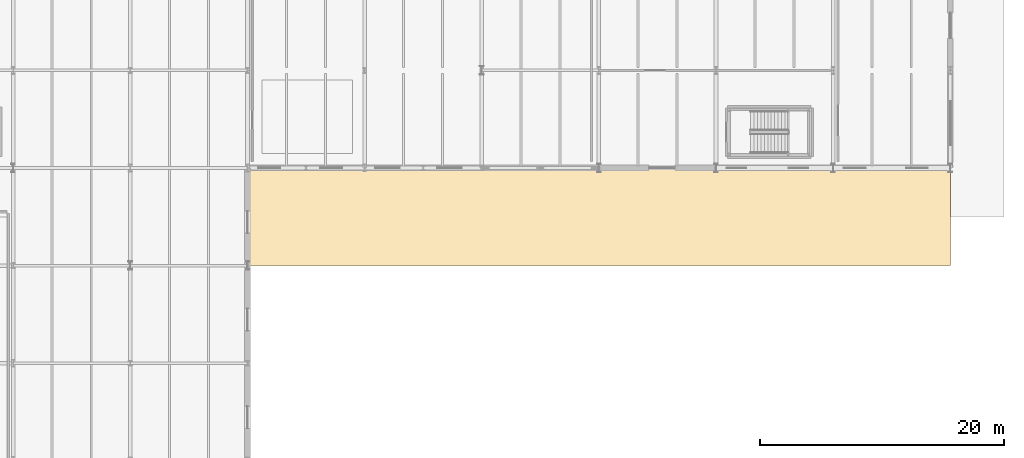
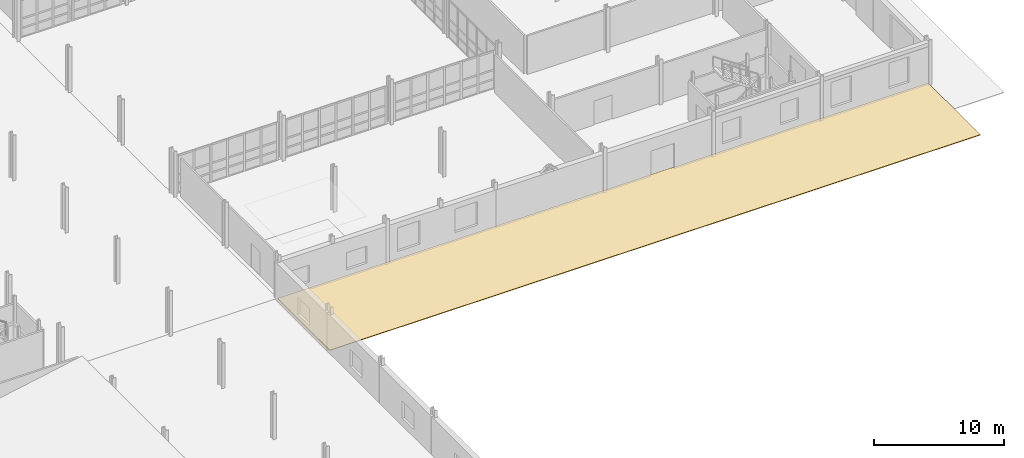
# One storey, part 76 of 78: 1 covering.
"""IFC4 building model written with IfcOpenShell, lengths in metres."""

from ifc_helpers import new_model, si_unit, direction, frame, origin, place, context, subcontext, project, spatial, polyline, outline, extrude, material, layer, layer_set, type_object, element, save


model = new_model("IFC4")

# Units and contexts
model_context = context("Model", 3, precision=1e-05, world=origin(), true_north=direction((0.0, 1.0)))
body_context = subcontext(model_context, "Body", "Model", "MODEL_VIEW")
ifc_project = project(units=[si_unit("LENGTHUNIT", "METRE"), si_unit("AREAUNIT", "SQUARE_METRE"), si_unit("VOLUMEUNIT", "CUBIC_METRE"), si_unit("PLANEANGLEUNIT", "RADIAN"), si_unit("MASSUNIT", "GRAM", prefix="KILO")], contexts=[model_context])

# Site, building, storey
site_placement = place(None, origin())
site = spatial("IfcSite", under=ifc_project, at=site_placement, CompositionType="ELEMENT")
building_placement = place(site_placement, origin())
building = spatial("IfcBuilding", under=site, at=building_placement, Name="Alderhovde Museum", CompositionType="ELEMENT")
storey_placement = place(building_placement, origin())
storey = spatial("IfcBuildingStorey", under=building, at=storey_placement, Name="L00", CompositionType="ELEMENT", Elevation=0.0)

# Covering
ifc_material = material(Name="Bush-Hammered Nordic Granite Forecourt Paving", Category="masonry")
ifc_layer = layer(ifc_material, 0.06005859375)
ifc_layer_set = layer_set([ifc_layer], Name="Bush-Hammered Nordic Granite Forecourt Paving")
covering_type = type_object("IfcCoveringType", Name="COV-EXT-GRANITE", PredefinedType="FLOORING", material=ifc_layer_set)
covering_placement = place(storey_placement, frame((0.0, 0.0, -0.06005859375)))
element("IfcCovering", 1, at=covering_placement, inside=storey, type_object=covering_type, Name="South-East Hillside Granite Terrace Walk", PredefinedType="FLOORING", context=body_context, shape_type="SweptSolid", body=[
    extrude(outline(polyline([(115.199951171875, 24.0), (172.800048828125, 24.0), (172.800048828125, 32.0), (115.199951171875, 32.0), (115.199951171875, 24.0)])), origin(), (0.0, 0.0, 1.0), 0.06005859375),
])

save(model, "model.ifc")
